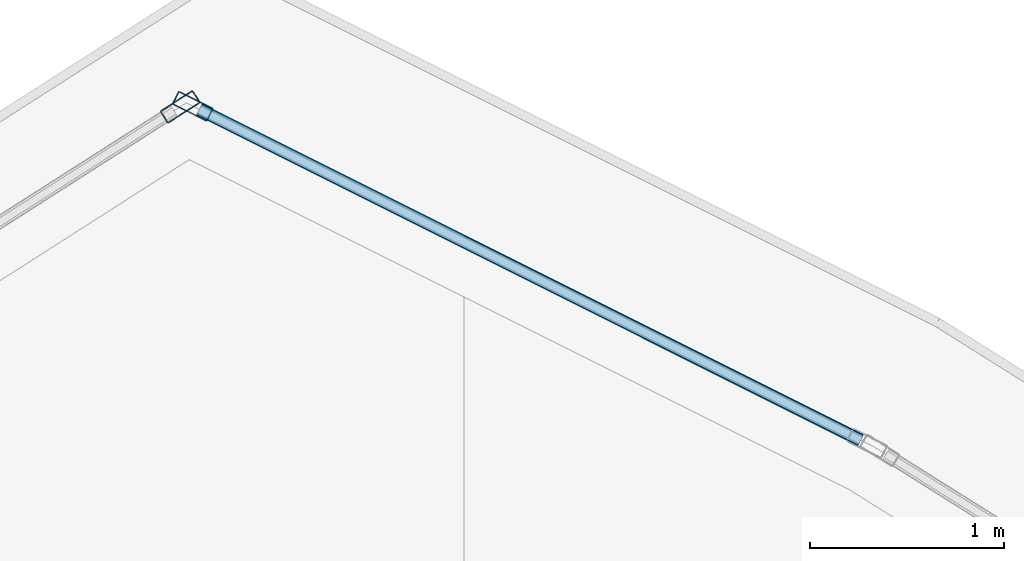
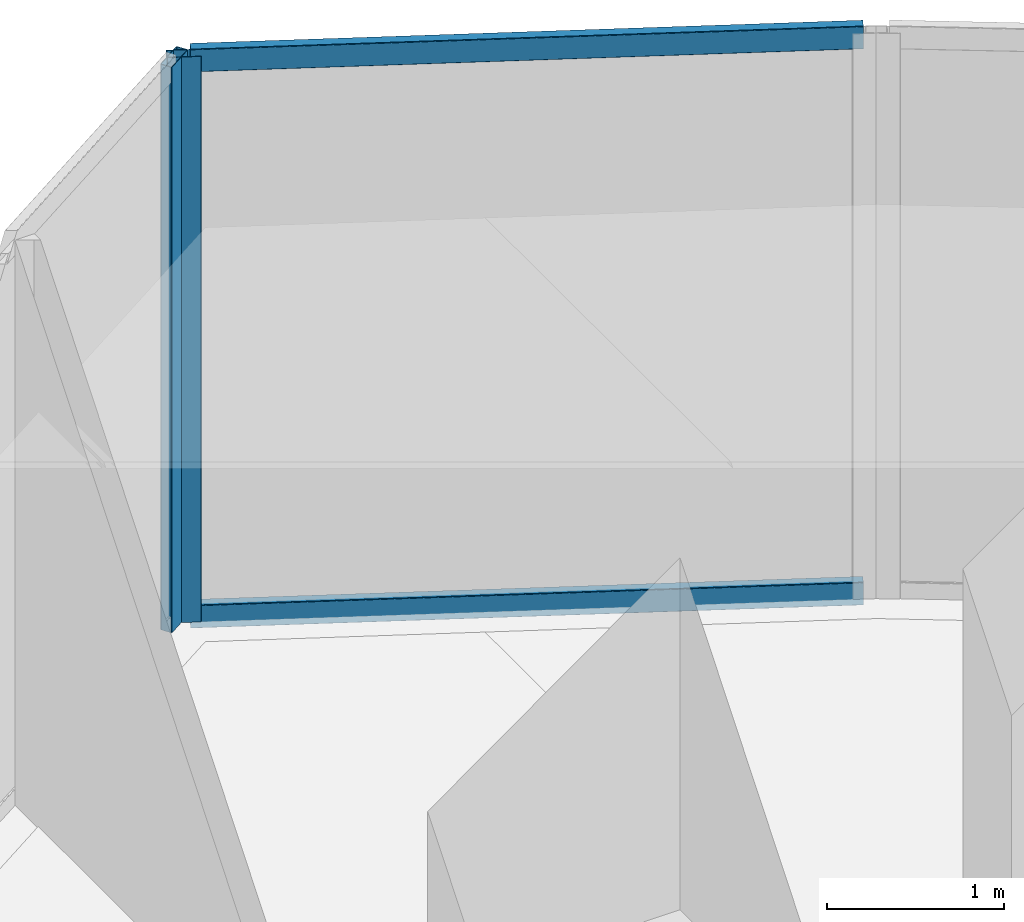
# One storey, part 21 of 33: 4 members, 2 elements without a shape of their own.
"""IFC4 building model written with IfcOpenShell, lengths in metres."""

from ifc_helpers import new_model, si_unit, direction, frame, origin, origin_2d, place, context, subcontext, project, spatial, hollow_rectangle, extrude, material, layer, layer_set, material_profile, profile_set, type_object, element, aggregate, save


model = new_model("IFC4")

# Units and contexts
model_context = context("Model", 3, precision=1e-05, world=origin(), true_north=direction((0.0, 1.0)))
body_context = subcontext(model_context, "Body", "Model", "MODEL_VIEW")
ifc_project = project(units=[si_unit("LENGTHUNIT", "METRE"), si_unit("AREAUNIT", "SQUARE_METRE"), si_unit("VOLUMEUNIT", "CUBIC_METRE"), si_unit("PLANEANGLEUNIT", "RADIAN"), si_unit("MASSUNIT", "GRAM", prefix="KILO")], contexts=[model_context])

# Site, building, storey
site_placement = place(None, origin())
site = spatial("IfcSite", under=ifc_project, at=site_placement, CompositionType="ELEMENT")
building_placement = place(site_placement, origin())
building = spatial("IfcBuilding", under=site, at=building_placement, Name="Qorvath Tower", CompositionType="ELEMENT")
storey_placement = place(building_placement, frame((0.0, 0.0, 280.800048828125)))
storey = spatial("IfcBuildingStorey", under=building, at=storey_placement, Name="L65", CompositionType="ELEMENT", Elevation=280.800048828125)

# Curtain wall, member
ifc_material_1 = material(Name="Anodised aluminium and triple low-E glass", Category="aluminium")
ifc_layer = layer(ifc_material_1, 0.179931640625)
ifc_layer_set = layer_set([ifc_layer], Name="CW-SYS-4")
curtain_wall_type = type_object("IfcCurtainWallType", Name="CW-SYS-4", PredefinedType="NOTDEFINED", material=ifc_layer_set)
curtain_wall_1_placement = place(storey_placement, origin())
curtain_wall_1 = element("IfcCurtainWall", 1, at=curtain_wall_1_placement, inside=storey, type_object=curtain_wall_type, Name="Curtain Wall CW-4 CW-T-L65-15.1", PredefinedType="NOTDEFINED")
ifc_material_2 = material(Name="Anodised aluminium 6063-T6", Category="aluminium")
ifc_material_profile_1 = material_profile(ifc_material_2, hollow_rectangle(XDim=0.074951171875, YDim=0.199951171875, WallThickness=0.00390625, InnerFilletRadius=0.00390625, OuterFilletRadius=0.008056640625, at=origin_2d()), Name="CWM 200x75")
ifc_profile_set_1 = profile_set([ifc_material_profile_1], Name="Anodised aluminium 6063-T6")
member_type_1 = type_object("IfcMemberType", Name="CWM-200", PredefinedType="MULLION", material=ifc_profile_set_1)
member_1_placement = place(storey_placement, frame((-17.687255859375, 24.821044921875, 0.0), z_axis=(0.0, 0.0, 1.0), x_axis=(-0.447223678296, -0.894422149531, 0.0)))
member_1 = element("IfcMember", 2, at=member_1_placement, type_object=member_type_1, Name="CW-4 mullion 2", PredefinedType="MULLION", context=body_context, shape_type="SweptSolid", body=[
    extrude(hollow_rectangle(XDim=0.074951171875, YDim=0.199951171875, WallThickness=0.00390625, InnerFilletRadius=0.00390625, OuterFilletRadius=0.008056640625, at=origin_2d()), origin(), (0.0, 0.0, 1.0), 3.909912109375),
])

curtain_wall_2_placement = place(storey_placement, origin())
curtain_wall_2 = element("IfcCurtainWall", 3, at=curtain_wall_2_placement, inside=storey, type_object=curtain_wall_type, Name="Curtain Wall CW-4 CW-T-L65-16.1", PredefinedType="NOTDEFINED")
member_2_placement = place(storey_placement, frame((-17.752197265625, 24.817626953125, 0.0), z_axis=(0.0, 0.0, 1.0), x_axis=(0.538533780169, -0.84260392096, 0.0)))
member_2 = element("IfcMember", 4, at=member_2_placement, type_object=member_type_1, Name="CW-4 mullion 1", PredefinedType="MULLION", context=body_context, shape_type="SweptSolid", body=[
    extrude(hollow_rectangle(XDim=0.074951171875, YDim=0.199951171875, WallThickness=0.00390625, InnerFilletRadius=0.00390625, OuterFilletRadius=0.008056640625, at=origin_2d()), origin(), (0.0, 0.0, 1.0), 3.909912109375),
])
aggregate(curtain_wall_2, [member_2])

# Member
ifc_material_3 = material(Name="Anodised aluminium 6063-T6", Category="aluminium")
ifc_material_profile_2 = material_profile(ifc_material_3, hollow_rectangle(XDim=0.06494140625, YDim=0.159912109375, WallThickness=0.00341796875, InnerFilletRadius=0.00341796875, OuterFilletRadius=0.007080078125, at=origin_2d()), Name="CWT 160x65")
ifc_profile_set_2 = profile_set([ifc_material_profile_2], Name="Anodised aluminium 6063-T6")
member_type_2 = type_object("IfcMemberType", Name="CWT-160", PredefinedType="USERDEFINED", material=ifc_profile_set_2)
member_3_placement = place(storey_placement, frame((-14.239501953125, 23.09716796875, 0.032470703125), z_axis=(-0.894401605966, 0.447264761908, 0.0), x_axis=(-0.447264761908, -0.894401605966, 0.0)))
member_3 = element("IfcMember", 5, at=member_3_placement, type_object=member_type_2, Name="CW-4 transom 1.1", ObjectType="TRANSOM", PredefinedType="USERDEFINED", context=body_context, shape_type="SweptSolid", body=[
    extrude(hollow_rectangle(XDim=0.06494140625, YDim=0.159912109375, WallThickness=0.00341796875, InnerFilletRadius=0.00341796875, OuterFilletRadius=0.007080078125, at=origin_2d()), origin(), (0.0, 0.0, 1.0), 3.817138671875),
])

member_4_placement = place(storey_placement, frame((-14.239501953125, 23.09716796875, 3.87744140625), z_axis=(-0.894401605966, 0.447264761908, 0.0), x_axis=(-0.447264761908, -0.894401605966, 0.0)))
member_4 = element("IfcMember", 6, at=member_4_placement, type_object=member_type_2, Name="CW-4 transom 1.2", ObjectType="TRANSOM", PredefinedType="USERDEFINED", context=body_context, shape_type="SweptSolid", body=[
    extrude(hollow_rectangle(XDim=0.06494140625, YDim=0.159912109375, WallThickness=0.00341796875, InnerFilletRadius=0.00341796875, OuterFilletRadius=0.007080078125, at=origin_2d()), origin(), (0.0, 0.0, 1.0), 3.817138671875),
])

aggregate(curtain_wall_1, [member_1, member_3, member_4])

save(model, "model.ifc")
